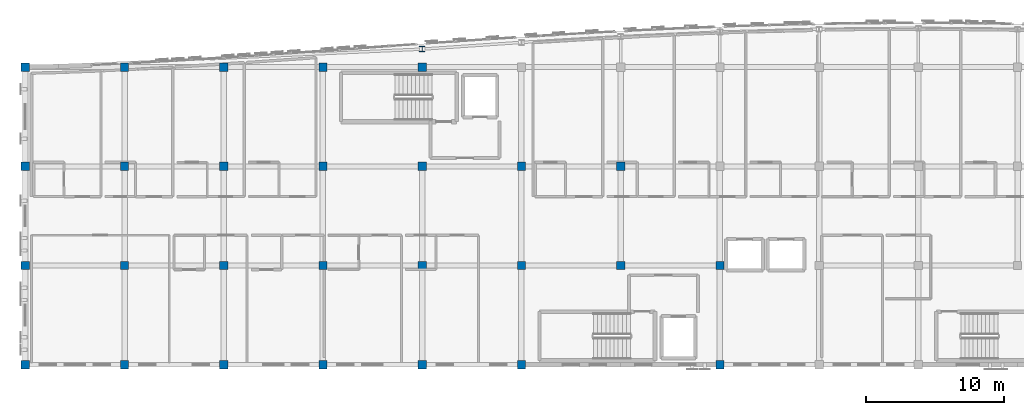
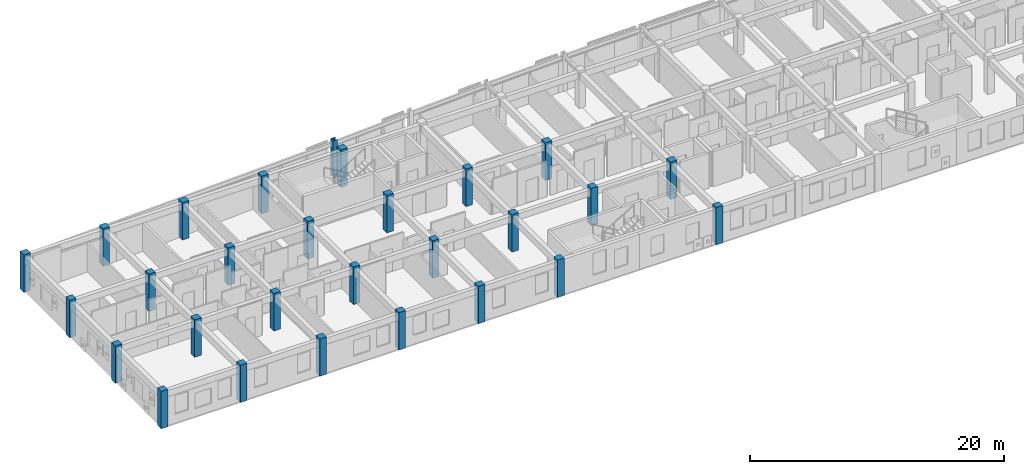
# One storey, part 1 of 41: 28 columns.
"""IFC4 building model written with IfcOpenShell, lengths in metres."""

from ifc_helpers import new_model, si_unit, direction, frame, origin, origin_2d, place, context, subcontext, project, spatial, rectangle, i_section, extrude, material, material_profile, profile_set, type_object, element, save


model = new_model("IFC4")

# Units and contexts
model_context = context("Model", 3, precision=1e-05, world=origin(), true_north=direction((0.0, 1.0)))
body_context = subcontext(model_context, "Body", "Model", "MODEL_VIEW")
ifc_project = project(units=[si_unit("LENGTHUNIT", "METRE"), si_unit("AREAUNIT", "SQUARE_METRE"), si_unit("VOLUMEUNIT", "CUBIC_METRE"), si_unit("PLANEANGLEUNIT", "RADIAN"), si_unit("MASSUNIT", "GRAM", prefix="KILO")], contexts=[model_context])

# Site, building, storey
site_placement = place(None, origin())
site = spatial("IfcSite", under=ifc_project, at=site_placement, CompositionType="ELEMENT")
building_placement = place(site_placement, origin())
building = spatial("IfcBuilding", under=site, at=building_placement, Name="Carrowvane Square Congress Hotel", CompositionType="ELEMENT")
storey_placement = place(building_placement, frame((0.0, 0.0, 37.199951171875)))
storey = spatial("IfcBuildingStorey", under=building, at=storey_placement, Name="L09", CompositionType="ELEMENT", Elevation=37.199951171875)

# Columns
ifc_material_1 = material(Name="Concrete C40/50", Category="concrete")
ifc_material_profile_1 = material_profile(ifc_material_1, rectangle(XDim=0.60009765625, YDim=0.60009765625, at=origin_2d()), Name="RC 600x600")
ifc_profile_set_1 = profile_set([ifc_material_profile_1], Name="Concrete C40/50")
column_type_1 = type_object("IfcColumnType", Name="COL-RC-600", PredefinedType="COLUMN", material=ifc_profile_set_1)
for number, where, z_axis, x_axis, name in (
    (1, (33.199951171875, 91.800048828125, 0.0), (0.0, 0.0, 1.0), (1.0, 0.0, 0.0), "L09 column 4/N"),
    (2, (33.199951171875, 99.0, 0.0), (0.0, 0.0, 1.0), (1.0, 0.0, 0.0), "L09 column 4/P"),
    (3, (33.199951171875, 106.199951171875, 0.0), (0.0, 0.0, 1.0), (1.0, 0.0, 0.0), "L09 column 4/Q"),
    (4, (33.199951171875, 113.39990234375, 0.0), (0.0, 0.0, 1.0), (1.0, 0.0, 0.0), "L09 column 4/R"),
    (5, (40.39990234375, 91.800048828125, 0.0), (0.0, 0.0, 1.0), (1.0, 0.0, 0.0), "L09 column 5/N"),
    (6, (40.39990234375, 99.0, 0.0), (0.0, 0.0, 1.0), (1.0, 0.0, 0.0), "L09 column 5/P"),
    (7, (40.39990234375, 106.199951171875, 0.0), (0.0, 0.0, 1.0), (1.0, 0.0, 0.0), "L09 column 5/Q"),
    (8, (40.39990234375, 113.39990234375, 0.0), (0.0, 0.0, 1.0), (1.0, 0.0, 0.0), "L09 column 5/R"),
    (9, (47.60009765625, 91.800048828125, 0.0), (0.0, 0.0, 1.0), (1.0, 0.0, 0.0), "L09 column 6/N"),
    (10, (47.60009765625, 99.0, 0.0), (0.0, 0.0, 1.0), (1.0, 0.0, 0.0), "L09 column 6/P"),
    (11, (47.60009765625, 106.199951171875, 0.0), (0.0, 0.0, 1.0), (1.0, 0.0, 0.0), "L09 column 6/Q"),
    (12, (47.60009765625, 113.39990234375, 0.0), (0.0, 0.0, 1.0), (1.0, 0.0, 0.0), "L09 column 6/R"),
    (13, (54.800048828125, 91.800048828125, 0.0), (0.0, 0.0, 1.0), (1.0, 0.0, 0.0), "L09 column 7/N"),
    (14, (54.800048828125, 99.0, 0.0), (0.0, 0.0, 1.0), (1.0, 0.0, 0.0), "L09 column 7/P"),
    (15, (54.800048828125, 106.199951171875, 0.0), (0.0, 0.0, 1.0), (1.0, 0.0, 0.0), "L09 column 7/Q"),
    (16, (54.800048828125, 113.39990234375, 0.0), (0.0, 0.0, 1.0), (1.0, 0.0, 0.0), "L09 column 7/R"),
    (17, (62.0, 91.800048828125, 0.0), (0.0, 0.0, 1.0), (1.0, 0.0, 0.0), "L09 column 8/N"),
    (18, (62.0, 99.0, 0.0), (0.0, 0.0, 1.0), (1.0, 0.0, 0.0), "L09 column 8/P"),
    (19, (62.0, 106.199951171875, 0.0), (0.0, 0.0, 1.0), (1.0, 0.0, 0.0), "L09 column 8/Q"),
    (20, (62.0, 113.39990234375, 0.0), (0.0, 0.0, 1.0), (1.0, 0.0, 0.0), "L09 column 8/R"),
    (21, (69.199951171875, 91.800048828125, 0.0), (0.0, 0.0, 1.0), (1.0, 0.0, 0.0), "L09 column 9/N"),
    (22, (69.199951171875, 99.0, 0.0), (0.0, 0.0, 1.0), (1.0, 0.0, 0.0), "L09 column 9/P"),
    (23, (69.199951171875, 106.199951171875, 0.0), (0.0, 0.0, 1.0), (1.0, 0.0, 0.0), "L09 column 9/Q"),
    (24, (76.39990234375, 99.0, 0.0), (0.0, 0.0, 1.0), (1.0, 0.0, 0.0), "L09 column 10/P"),
    (25, (76.39990234375, 106.199951171875, 0.0), (0.0, 0.0, 1.0), (1.0, 0.0, 0.0), "L09 column 10/Q"),
    (26, (83.60009765625, 91.800048828125, 0.0), (0.0, 0.0, 1.0), (1.0, 0.0, 0.0), "L09 column 11/N"),
    (27, (83.60009765625, 99.0, 0.0), (0.0, 0.0, 1.0), (1.0, 0.0, 0.0), "L09 column 11/P"),
):
    element("IfcColumn", number, at=place(storey_placement, frame(where, z_axis=z_axis, x_axis=x_axis)), inside=storey, type_object=column_type_1, Name=name, PredefinedType="COLUMN", context=body_context, shape_type="SweptSolid", body=[
        extrude(rectangle(XDim=0.60009765625, YDim=0.60009765625, at=origin_2d()), origin(), (0.0, 0.0, 1.0), 3.60009765625),
    ])
ifc_material_2 = material(Name="Steel S355", Category="steel")
ifc_material_profile_2 = material_profile(ifc_material_2, i_section(OverallWidth=0.394775390625, OverallDepth=0.381103515625, WebThickness=0.018310546875, FlangeThickness=0.0302734375, FilletRadius=0.01513671875, at=origin_2d()), Name="UKC 356x406x235")
ifc_profile_set_2 = profile_set([ifc_material_profile_2], Name="Steel S355")
column_type_2 = type_object("IfcColumnType", Name="COL-ST-UKC406", PredefinedType="COLUMN", material=ifc_profile_set_2)
column_placement = place(storey_placement, frame((62.0, 114.7060546875, 0.0), z_axis=(0.0, 0.0, 1.0), x_axis=(1.0, 0.0, 0.0)))
element("IfcColumn", 28, at=column_placement, inside=storey, type_object=column_type_2, Name="L09 column 8/ARC", PredefinedType="COLUMN", context=body_context, shape_type="SweptSolid", body=[
    extrude(i_section(OverallWidth=0.394775390625, OverallDepth=0.381103515625, WebThickness=0.018310546875, FlangeThickness=0.0302734375, FilletRadius=0.01513671875, at=origin_2d()), origin(), (0.0, 0.0, 1.0), 3.60009765625),
])

save(model, "model.ifc")
